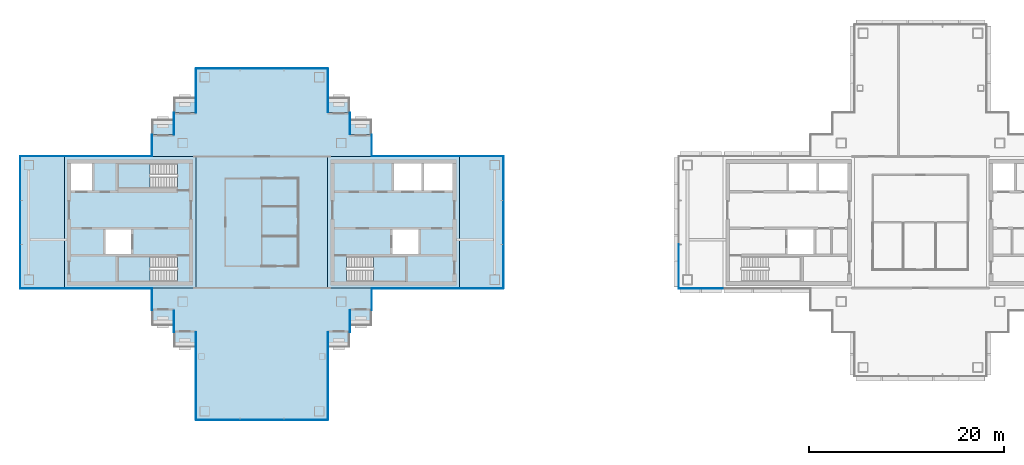
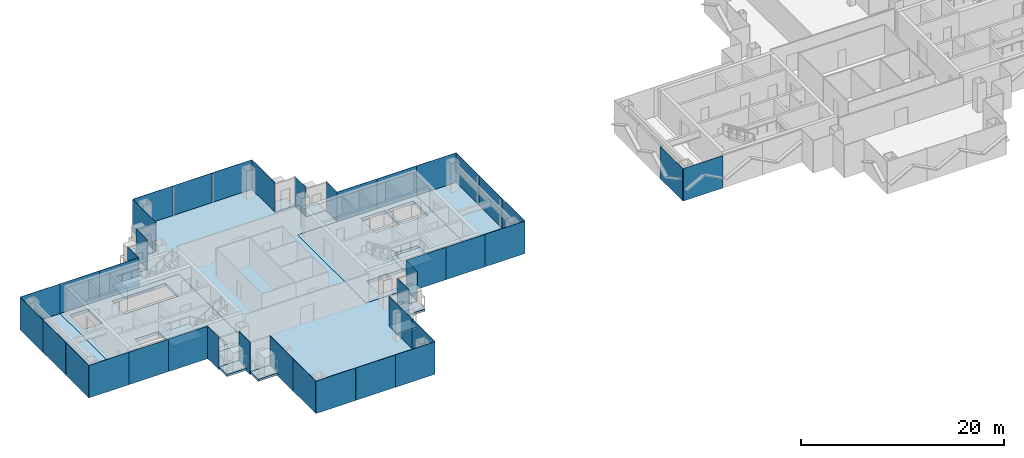
# One storey, part 7 of 17: 40 plates, 16 slabs, 25 elements without a shape of their own.
"""IFC4 building model written with IfcOpenShell, lengths in metres."""

from ifc_helpers import new_model, si_unit, direction, frame, origin, origin_2d, place, context, subcontext, project, spatial, polyline, rectangle, outline, extrude, material, layer, layer_set, type_object, element, aggregate, save


model = new_model("IFC4")

# Units and contexts
model_context = context("Model", 3, precision=1e-05, world=origin(), true_north=direction((0.0, 1.0)))
body_context = subcontext(model_context, "Body", "Model", "MODEL_VIEW")
ifc_project = project(units=[si_unit("LENGTHUNIT", "METRE"), si_unit("AREAUNIT", "SQUARE_METRE"), si_unit("VOLUMEUNIT", "CUBIC_METRE"), si_unit("PLANEANGLEUNIT", "RADIAN"), si_unit("MASSUNIT", "GRAM", prefix="KILO")], contexts=[model_context])

# Site, building, storey
site_placement = place(None, origin())
site = spatial("IfcSite", under=ifc_project, at=site_placement, CompositionType="ELEMENT")
building_placement = place(site_placement, origin())
building = spatial("IfcBuilding", under=site, at=building_placement, Name="Shamsa Quay Exchange Towers", CompositionType="ELEMENT")
storey_placement = place(building_placement, frame((0.0, 0.0, 221.699951171875)))
storey = spatial("IfcBuildingStorey", under=building, at=storey_placement, Name="L53", CompositionType="ELEMENT", Elevation=221.699951171875)

# Slabs
ifc_material_1 = material(Name="Precast concrete C40/50", Category="concrete")
ifc_layer_1 = layer(ifc_material_1, 0.25)
ifc_layer_set_1 = layer_set([ifc_layer_1], Name="BALCONY SLAB 250")
slab_type_1 = type_object("IfcSlabType", Name="BALCONY SLAB 250", PredefinedType="FLOOR", material=ifc_layer_set_1)
slab_1_placement = place(storey_placement, frame((0.0, 0.0, -0.25)))
element("IfcSlab", 1, at=slab_1_placement, inside=storey, type_object=slab_type_1, Name="Balcony T1-PKEN L53", PredefinedType="FLOOR", context=body_context, shape_type="SweptSolid", body=[
    extrude(outline(polyline([(-22.5, 9.0), (-24.7119140625, 9.0), (-24.7119140625, 10.550048828125), (-22.5, 10.550048828125), (-22.5, 9.0)])), origin(), (0.0, 0.0, 1.0), 0.25),
])
slab_2_placement = place(storey_placement, frame((0.0, 0.0, -0.25)))
element("IfcSlab", 2, at=slab_2_placement, inside=storey, type_object=slab_type_1, Name="Balcony T1-PKEN L53", PredefinedType="FLOOR", context=body_context, shape_type="SweptSolid", body=[
    extrude(outline(polyline([(-24.75, 11.25), (-26.9619140625, 11.25), (-26.9619140625, 12.800048828125), (-24.75, 12.800048828125), (-24.75, 11.25)])), origin(), (0.0, 0.0, 1.0), 0.25),
])
slab_3_placement = place(storey_placement, frame((0.0, 0.0, -0.25)))
element("IfcSlab", 3, at=slab_3_placement, inside=storey, type_object=slab_type_1, Name="Balcony T1-PKES L53", PredefinedType="FLOOR", context=body_context, shape_type="SweptSolid", body=[
    extrude(outline(polyline([(-24.7119140625, -9.0), (-22.5, -9.0), (-22.5, -10.550048828125), (-24.7119140625, -10.550048828125), (-24.7119140625, -9.0)])), origin(), (0.0, 0.0, 1.0), 0.25),
])
slab_4_placement = place(storey_placement, frame((0.0, 0.0, -0.25)))
element("IfcSlab", 4, at=slab_4_placement, inside=storey, type_object=slab_type_1, Name="Balcony T1-PKES L53", PredefinedType="FLOOR", context=body_context, shape_type="SweptSolid", body=[
    extrude(outline(polyline([(-26.9619140625, -11.25), (-24.75, -11.25), (-24.75, -12.800048828125), (-26.9619140625, -12.800048828125), (-26.9619140625, -11.25)])), origin(), (0.0, 0.0, 1.0), 0.25),
])
slab_5_placement = place(storey_placement, frame((0.0, 0.0, -0.25)))
element("IfcSlab", 5, at=slab_5_placement, inside=storey, type_object=slab_type_1, Name="Balcony T1-PKWN L53", PredefinedType="FLOOR", context=body_context, shape_type="SweptSolid", body=[
    extrude(outline(polyline([(-40.5380859375, 11.25), (-42.75, 11.25), (-42.75, 12.800048828125), (-40.5380859375, 12.800048828125), (-40.5380859375, 11.25)])), origin(), (0.0, 0.0, 1.0), 0.25),
])
slab_6_placement = place(storey_placement, frame((0.0, 0.0, -0.25)))
element("IfcSlab", 6, at=slab_6_placement, inside=storey, type_object=slab_type_1, Name="Balcony T1-PKWN L53", PredefinedType="FLOOR", context=body_context, shape_type="SweptSolid", body=[
    extrude(outline(polyline([(-42.7880859375, 9.0), (-45.0, 9.0), (-45.0, 10.550048828125), (-42.7880859375, 10.550048828125), (-42.7880859375, 9.0)])), origin(), (0.0, 0.0, 1.0), 0.25),
])
slab_7_placement = place(storey_placement, frame((0.0, 0.0, -0.25)))
element("IfcSlab", 7, at=slab_7_placement, inside=storey, type_object=slab_type_1, Name="Balcony T1-PKWS L53", PredefinedType="FLOOR", context=body_context, shape_type="SweptSolid", body=[
    extrude(outline(polyline([(-45.0, -9.0), (-42.7880859375, -9.0), (-42.7880859375, -10.550048828125), (-45.0, -10.550048828125), (-45.0, -9.0)])), origin(), (0.0, 0.0, 1.0), 0.25),
])
slab_8_placement = place(storey_placement, frame((0.0, 0.0, -0.25)))
element("IfcSlab", 8, at=slab_8_placement, inside=storey, type_object=slab_type_1, Name="Balcony T1-PKWS L53", PredefinedType="FLOOR", context=body_context, shape_type="SweptSolid", body=[
    extrude(outline(polyline([(-42.75, -11.25), (-40.5380859375, -11.25), (-40.5380859375, -12.800048828125), (-42.75, -12.800048828125), (-42.75, -11.25)])), origin(), (0.0, 0.0, 1.0), 0.25),
])
ifc_material_2 = material(Name="Concrete C50/60", Category="concrete")
ifc_layer_2 = layer(ifc_material_2, 0.35009765625)
ifc_layer_set_2 = layer_set([ifc_layer_2], Name="CORE FLOOR 350 C50/60")
slab_type_2 = type_object("IfcSlabType", Name="CORE FLOOR 350 C50/60", PredefinedType="FLOOR", material=ifc_layer_set_2)
slab_9_placement = place(storey_placement, frame((0.0, 0.0, -0.349853515625)))
element("IfcSlab", 9, at=slab_9_placement, inside=storey, type_object=slab_type_2, Name="Core floor T1A", PredefinedType="FLOOR", context=body_context, shape_type="SweptSolid", body=[
    extrude(outline(polyline([(-27.0, -6.75), (-13.5, -6.75), (-13.5, 6.75), (-27.0, 6.75), (-27.0, -6.75)]), holes=[polyline([(-25.099365234375, -6.050048828125), (-25.099365234375, -3.5), (-19.0, -3.5), (-19.0, -6.050048828125), (-25.099365234375, -6.050048828125)]), polyline([(-20.199951171875, 3.25), (-20.199951171875, 6.050048828125), (-17.39990234375, 6.050048828125), (-17.39990234375, 3.25), (-20.199951171875, 3.25)]), polyline([(-17.14990234375, 3.25), (-17.14990234375, 6.050048828125), (-14.199951171875, 6.050048828125), (-14.199951171875, 3.25), (-17.14990234375, 3.25)]), polyline([(-20.35009765625, -3.25), (-20.35009765625, -0.75), (-17.699951171875, -0.75), (-17.699951171875, -3.25), (-20.35009765625, -3.25)])]), origin(), (0.0, 0.0, 1.0), 0.349853515625),
])
slab_10_placement = place(storey_placement, frame((0.0, 0.0, -0.349853515625)))
element("IfcSlab", 10, at=slab_10_placement, inside=storey, type_object=slab_type_2, Name="Core floor T1B", PredefinedType="FLOOR", context=body_context, shape_type="SweptSolid", body=[
    extrude(outline(polyline([(-40.5, -6.75), (-40.5, 6.75), (-54.0, 6.75), (-54.0, -6.75), (-40.5, -6.75)]), holes=[polyline([(-42.400634765625, -3.5), (-42.400634765625, -6.050048828125), (-48.5, -6.050048828125), (-48.5, -3.5), (-42.400634765625, -3.5)]), polyline([(-42.400634765625, 6.050048828125), (-42.400634765625, 3.5), (-48.5, 3.5), (-48.5, 6.050048828125), (-42.400634765625, 6.050048828125)]), polyline([(-51.14990234375, 3.25), (-53.300048828125, 3.25), (-53.300048828125, 6.050048828125), (-51.14990234375, 6.050048828125), (-51.14990234375, 3.25)]), polyline([(-47.14990234375, -3.25), (-49.800048828125, -3.25), (-49.800048828125, -0.75), (-47.14990234375, -0.75), (-47.14990234375, -3.25)])]), origin(), (0.0, 0.0, 1.0), 0.349853515625),
])

# Stair, slab
ifc_material_3 = material(Name="Concrete C40/50", Category="concrete")
stair_type = type_object("IfcStairType", Name="EXIT STAIR 22 RISERS 177 MM", PredefinedType="HALF_TURN_STAIR", material=ifc_material_3)
stair_1_placement = place(storey_placement, origin())
stair_1 = element("IfcStair", 11, at=stair_1_placement, inside=storey, type_object=stair_type, Name="L53 Exit stair ST1", PredefinedType="HALF_TURN_STAIR")
ifc_layer_3 = layer(ifc_material_3, 0.199951171875)
ifc_layer_set_3 = layer_set([ifc_layer_3], Name="CORE STAIR LANDING")
slab_type_3 = type_object("IfcSlabType", Name="CORE STAIR LANDING", PredefinedType="LANDING", material=ifc_layer_set_3)
slab_11_placement = place(storey_placement, frame((0.0, 0.0, 1.75)))
slab_11 = element("IfcSlab", 12, at=slab_11_placement, type_object=slab_type_3, Name="ST1 landing 1", PredefinedType="LANDING", context=body_context, shape_type="SweptSolid", body=[
    extrude(outline(polyline([(-22.300048828125, -6.050048828125), (-19.0, -6.050048828125), (-19.0, -3.5), (-22.300048828125, -3.5), (-22.300048828125, -6.050048828125)])), origin(), (0.0, 0.0, 1.0), 0.199951171875),
])
aggregate(stair_1, [slab_11])

stair_2_placement = place(storey_placement, origin())
stair_2 = element("IfcStair", 13, at=stair_2_placement, inside=storey, type_object=stair_type, Name="L53 Exit stair ST2", PredefinedType="HALF_TURN_STAIR")
slab_12_placement = place(storey_placement, frame((0.0, 0.0, 1.75)))
slab_12 = element("IfcSlab", 14, at=slab_12_placement, type_object=slab_type_3, Name="ST2 landing 1", PredefinedType="LANDING", context=body_context, shape_type="SweptSolid", body=[
    extrude(outline(polyline([(-45.199951171875, -3.5), (-48.5, -3.5), (-48.5, -6.050048828125), (-45.199951171875, -6.050048828125), (-45.199951171875, -3.5)])), origin(), (0.0, 0.0, 1.0), 0.199951171875),
])
aggregate(stair_2, [slab_12])

stair_3_placement = place(storey_placement, origin())
stair_3 = element("IfcStair", 15, at=stair_3_placement, inside=storey, type_object=stair_type, Name="L53 Exit stair ST3", PredefinedType="HALF_TURN_STAIR")
slab_13_placement = place(storey_placement, frame((0.0, 0.0, 1.75)))
slab_13 = element("IfcSlab", 16, at=slab_13_placement, type_object=slab_type_3, Name="ST3 landing 1", PredefinedType="LANDING", context=body_context, shape_type="SweptSolid", body=[
    extrude(outline(polyline([(-45.199951171875, 6.050048828125), (-48.5, 6.050048828125), (-48.5, 3.5), (-45.199951171875, 3.5), (-45.199951171875, 6.050048828125)])), origin(), (0.0, 0.0, 1.0), 0.199951171875),
])
aggregate(stair_3, [slab_13])

# Curtain wall, plates
ifc_material_4 = material(Name="Aluminium EN AW-6063 T6, black anodised", Category="aluminium")
ifc_layer_4 = layer(ifc_material_4, 0.280029296875)
ifc_layer_set_4 = layer_set([ifc_layer_4], Name="CW-1 UNITISED VISION GLASS")
curtain_wall_type_1 = type_object("IfcCurtainWallType", Name="CW-1 UNITISED VISION GLASS", PredefinedType="NOTDEFINED", material=ifc_layer_set_4)
curtain_wall_1_placement = place(storey_placement, origin())
curtain_wall_1 = element("IfcCurtainWall", 17, at=curtain_wall_1_placement, inside=storey, type_object=curtain_wall_type_1, Name="CW1 T1-FLK-V-W L53", PredefinedType="NOTDEFINED")
ifc_material_5 = material(Name="Glass, laminated, dark tinted", Category="glass")
ifc_layer_5 = layer(ifc_material_5, 0.0400390625)
ifc_layer_set_5 = layer_set([ifc_layer_5], Name="CW-1 VISION GLASS 40")
plate_type_1 = type_object("IfcPlateType", Name="CW-1 VISION GLASS 40", PredefinedType="CURTAIN_PANEL", material=ifc_layer_set_5)
plate_1_placement = place(storey_placement, frame((-40.52001953125, -13.52587890625, -0.349853515625), z_axis=(0.0, 0.0, 1.0), x_axis=(0.0, -1.0, 0.0)))
plate_1 = element("IfcPlate", 18, at=plate_1_placement, type_object=plate_type_1, Name="CW1 glass panel", PredefinedType="CURTAIN_PANEL", context=body_context, shape_type="SweptSolid", body=[
    extrude(rectangle(XDim=4.47607421875, YDim=0.0400390625, at=origin_2d()), origin(), (0.0, 0.0, 1.0), 3.89990234375),
])
plate_2_placement = place(storey_placement, frame((-40.52001953125, -18.011962890625, -0.349853515625), z_axis=(0.0, 0.0, 1.0), x_axis=(0.0, -1.0, 0.0)))
plate_2 = element("IfcPlate", 19, at=plate_2_placement, type_object=plate_type_1, Name="CW1 glass panel", PredefinedType="CURTAIN_PANEL", context=body_context, shape_type="SweptSolid", body=[
    extrude(rectangle(XDim=4.47607421875, YDim=0.0400390625, at=origin_2d()), origin(), (0.0, 0.0, 1.0), 3.89990234375),
])
aggregate(curtain_wall_1, [plate_1, plate_2])

curtain_wall_2_placement = place(storey_placement, origin())
curtain_wall_2 = element("IfcCurtainWall", 20, at=curtain_wall_2_placement, inside=storey, type_object=curtain_wall_type_1, Name="CW1 T1-END-V- L53", PredefinedType="NOTDEFINED")
plate_3_placement = place(storey_placement, frame((-38.25244140625, -20.27001953125, -0.349853515625)))
plate_3 = element("IfcPlate", 21, at=plate_3_placement, type_object=plate_type_1, Name="CW1 glass panel", PredefinedType="CURTAIN_PANEL", context=body_context, shape_type="SweptSolid", body=[
    extrude(rectangle(XDim=4.4951171875, YDim=0.0400390625, at=origin_2d()), origin(), (0.0, 0.0, 1.0), 3.89990234375),
])
plate_4_placement = place(storey_placement, frame((-33.75, -20.27001953125, -0.349853515625)))
plate_4 = element("IfcPlate", 22, at=plate_4_placement, type_object=plate_type_1, Name="CW1 glass panel", PredefinedType="CURTAIN_PANEL", context=body_context, shape_type="SweptSolid", body=[
    extrude(rectangle(XDim=4.489990234375, YDim=0.0400390625, at=origin_2d()), origin(), (0.0, 0.0, 1.0), 3.89990234375),
])
plate_5_placement = place(storey_placement, frame((-29.24755859375, -20.27001953125, -0.349853515625)))
plate_5 = element("IfcPlate", 23, at=plate_5_placement, type_object=plate_type_1, Name="CW1 glass panel", PredefinedType="CURTAIN_PANEL", context=body_context, shape_type="SweptSolid", body=[
    extrude(rectangle(XDim=4.4951171875, YDim=0.0400390625, at=origin_2d()), origin(), (0.0, 0.0, 1.0), 3.89990234375),
])
aggregate(curtain_wall_2, [plate_3, plate_4, plate_5])

curtain_wall_3_placement = place(storey_placement, origin())
curtain_wall_3 = element("IfcCurtainWall", 24, at=curtain_wall_3_placement, inside=storey, type_object=curtain_wall_type_1, Name="CW1 T1-FLK-V-E L53", PredefinedType="NOTDEFINED")
plate_6_placement = place(storey_placement, frame((-26.97998046875, -18.00244140625, -0.349853515625), z_axis=(0.0, 0.0, 1.0), x_axis=(0.0, 1.0, 0.0)))
plate_6 = element("IfcPlate", 25, at=plate_6_placement, type_object=plate_type_1, Name="CW1 glass panel", PredefinedType="CURTAIN_PANEL", context=body_context, shape_type="SweptSolid", body=[
    extrude(rectangle(XDim=4.4951171875, YDim=0.0400390625, at=origin_2d()), origin(), (0.0, 0.0, 1.0), 3.89990234375),
])
plate_7_placement = place(storey_placement, frame((-26.97998046875, -13.49755859375, -0.349853515625), z_axis=(0.0, 0.0, 1.0), x_axis=(0.0, 1.0, 0.0)))
plate_7 = element("IfcPlate", 26, at=plate_7_placement, type_object=plate_type_1, Name="CW1 glass panel", PredefinedType="CURTAIN_PANEL", context=body_context, shape_type="SweptSolid", body=[
    extrude(rectangle(XDim=4.4951171875, YDim=0.0400390625, at=origin_2d()), origin(), (0.0, 0.0, 1.0), 3.89990234375),
])
aggregate(curtain_wall_3, [plate_6, plate_7])

# Curtain wall, plate
curtain_wall_4_placement = place(storey_placement, origin())
curtain_wall_4 = element("IfcCurtainWall", 27, at=curtain_wall_4_placement, inside=storey, type_object=curtain_wall_type_1, Name="CW1 T1-FLK-U+S L53", PredefinedType="NOTDEFINED")
plate_8_placement = place(storey_placement, frame((-11.25, -6.77001953125, -0.349853515625)))
plate_8 = element("IfcPlate", 28, at=plate_8_placement, type_object=plate_type_1, Name="CW1 glass panel", PredefinedType="CURTAIN_PANEL", context=body_context, shape_type="SweptSolid", body=[
    extrude(rectangle(XDim=4.5, YDim=0.0400390625, at=origin_2d()), origin(), (0.0, 0.0, 1.0), 3.89990234375),
])
aggregate(curtain_wall_4, [plate_8])

# Curtain wall, plates
curtain_wall_5_placement = place(storey_placement, origin())
curtain_wall_5 = element("IfcCurtainWall", 29, at=curtain_wall_5_placement, inside=storey, type_object=curtain_wall_type_1, Name="CW1 T1-END-U+ L53", PredefinedType="NOTDEFINED")
plate_9_placement = place(storey_placement, frame((-8.97998046875, -4.50244140625, -0.349853515625), z_axis=(0.0, 0.0, 1.0), x_axis=(0.0, 1.0, 0.0)))
plate_9 = element("IfcPlate", 30, at=plate_9_placement, type_object=plate_type_1, Name="CW1 glass panel", PredefinedType="CURTAIN_PANEL", context=body_context, shape_type="SweptSolid", body=[
    extrude(rectangle(XDim=4.4951171875, YDim=0.0400390625, at=origin_2d()), origin(), (0.0, 0.0, 1.0), 3.89990234375),
])
plate_10_placement = place(storey_placement, frame((-8.97998046875, 0.0, -0.349853515625), z_axis=(0.0, 0.0, 1.0), x_axis=(0.0, 1.0, 0.0)))
plate_10 = element("IfcPlate", 31, at=plate_10_placement, type_object=plate_type_1, Name="CW1 glass panel", PredefinedType="CURTAIN_PANEL", context=body_context, shape_type="SweptSolid", body=[
    extrude(rectangle(XDim=4.489990234375, YDim=0.0400390625, at=origin_2d()), origin(), (0.0, 0.0, 1.0), 3.89990234375),
])
plate_11_placement = place(storey_placement, frame((-8.97998046875, 4.50244140625, -0.349853515625), z_axis=(0.0, 0.0, 1.0), x_axis=(0.0, 1.0, 0.0)))
plate_11 = element("IfcPlate", 32, at=plate_11_placement, type_object=plate_type_1, Name="CW1 glass panel", PredefinedType="CURTAIN_PANEL", context=body_context, shape_type="SweptSolid", body=[
    extrude(rectangle(XDim=4.4951171875, YDim=0.0400390625, at=origin_2d()), origin(), (0.0, 0.0, 1.0), 3.89990234375),
])
aggregate(curtain_wall_5, [plate_9, plate_10, plate_11])

# Curtain wall, plate
curtain_wall_6_placement = place(storey_placement, origin())
curtain_wall_6 = element("IfcCurtainWall", 33, at=curtain_wall_6_placement, inside=storey, type_object=curtain_wall_type_1, Name="CW1 T1-FLK-U+N L53", PredefinedType="NOTDEFINED")
plate_12_placement = place(storey_placement, frame((-11.25, 6.77001953125, -0.349853515625), z_axis=(0.0, 0.0, 1.0), x_axis=(-1.0, 0.0, 0.0)))
plate_12 = element("IfcPlate", 34, at=plate_12_placement, type_object=plate_type_1, Name="CW1 glass panel", PredefinedType="CURTAIN_PANEL", context=body_context, shape_type="SweptSolid", body=[
    extrude(rectangle(XDim=4.5, YDim=0.0400390625, at=origin_2d()), origin(), (0.0, 0.0, 1.0), 3.89990234375),
])
aggregate(curtain_wall_6, [plate_12])

curtain_wall_7_placement = place(storey_placement, origin())
curtain_wall_7 = element("IfcCurtainWall", 35, at=curtain_wall_7_placement, inside=storey, type_object=curtain_wall_type_1, Name="CW1 T1-FLK-V+E L53", PredefinedType="NOTDEFINED")
plate_13_placement = place(storey_placement, frame((-26.97998046875, 13.51904296875, -0.349853515625), z_axis=(0.0, 0.0, 1.0), x_axis=(0.0, 1.0, 0.0)))
plate_13 = element("IfcPlate", 36, at=plate_13_placement, type_object=plate_type_1, Name="CW1 glass panel", PredefinedType="CURTAIN_PANEL", context=body_context, shape_type="SweptSolid", body=[
    extrude(rectangle(XDim=4.4619140625, YDim=0.0400390625, at=origin_2d()), origin(), (0.0, 0.0, 1.0), 3.89990234375),
])
aggregate(curtain_wall_7, [plate_13])

# Curtain wall, plates
curtain_wall_8_placement = place(storey_placement, origin())
curtain_wall_8 = element("IfcCurtainWall", 37, at=curtain_wall_8_placement, inside=storey, type_object=curtain_wall_type_1, Name="CW1 T1-END-V+ L53", PredefinedType="NOTDEFINED")
plate_14_placement = place(storey_placement, frame((-29.24755859375, 15.77001953125, -0.349853515625), z_axis=(0.0, 0.0, 1.0), x_axis=(-1.0, 0.0, 0.0)))
plate_14 = element("IfcPlate", 38, at=plate_14_placement, type_object=plate_type_1, Name="CW1 glass panel", PredefinedType="CURTAIN_PANEL", context=body_context, shape_type="SweptSolid", body=[
    extrude(rectangle(XDim=4.4951171875, YDim=0.0400390625, at=origin_2d()), origin(), (0.0, 0.0, 1.0), 3.89990234375),
])
plate_15_placement = place(storey_placement, frame((-33.75, 15.77001953125, -0.349853515625), z_axis=(0.0, 0.0, 1.0), x_axis=(-1.0, 0.0, 0.0)))
plate_15 = element("IfcPlate", 39, at=plate_15_placement, type_object=plate_type_1, Name="CW1 glass panel", PredefinedType="CURTAIN_PANEL", context=body_context, shape_type="SweptSolid", body=[
    extrude(rectangle(XDim=4.489990234375, YDim=0.0400390625, at=origin_2d()), origin(), (0.0, 0.0, 1.0), 3.89990234375),
])
plate_16_placement = place(storey_placement, frame((-38.25244140625, 15.77001953125, -0.349853515625), z_axis=(0.0, 0.0, 1.0), x_axis=(-1.0, 0.0, 0.0)))
plate_16 = element("IfcPlate", 40, at=plate_16_placement, type_object=plate_type_1, Name="CW1 glass panel", PredefinedType="CURTAIN_PANEL", context=body_context, shape_type="SweptSolid", body=[
    extrude(rectangle(XDim=4.4951171875, YDim=0.0400390625, at=origin_2d()), origin(), (0.0, 0.0, 1.0), 3.89990234375),
])
aggregate(curtain_wall_8, [plate_14, plate_15, plate_16])

# Curtain wall, plate
curtain_wall_9_placement = place(storey_placement, origin())
curtain_wall_9 = element("IfcCurtainWall", 41, at=curtain_wall_9_placement, inside=storey, type_object=curtain_wall_type_1, Name="CW1 T1-FLK-V+W L53", PredefinedType="NOTDEFINED")
plate_17_placement = place(storey_placement, frame((-40.52001953125, 13.5, -0.349853515625), z_axis=(0.0, 0.0, 1.0), x_axis=(0.0, -1.0, 0.0)))
plate_17 = element("IfcPlate", 42, at=plate_17_placement, type_object=plate_type_1, Name="CW1 glass panel", PredefinedType="CURTAIN_PANEL", context=body_context, shape_type="SweptSolid", body=[
    extrude(rectangle(XDim=4.5, YDim=0.0400390625, at=origin_2d()), origin(), (0.0, 0.0, 1.0), 3.89990234375),
])
aggregate(curtain_wall_9, [plate_17])

curtain_wall_10_placement = place(storey_placement, origin())
curtain_wall_10 = element("IfcCurtainWall", 43, at=curtain_wall_10_placement, inside=storey, type_object=curtain_wall_type_1, Name="CW1 T1-FLK-U-N L53", PredefinedType="NOTDEFINED")
plate_18_placement = place(storey_placement, frame((-56.25, 6.77001953125, -0.349853515625), z_axis=(0.0, 0.0, 1.0), x_axis=(-1.0, 0.0, 0.0)))
plate_18 = element("IfcPlate", 44, at=plate_18_placement, type_object=plate_type_1, Name="CW1 glass panel", PredefinedType="CURTAIN_PANEL", context=body_context, shape_type="SweptSolid", body=[
    extrude(rectangle(XDim=4.5, YDim=0.0400390625, at=origin_2d()), origin(), (0.0, 0.0, 1.0), 3.89990234375),
])
aggregate(curtain_wall_10, [plate_18])

# Curtain wall, plates
curtain_wall_11_placement = place(storey_placement, origin())
curtain_wall_11 = element("IfcCurtainWall", 45, at=curtain_wall_11_placement, inside=storey, type_object=curtain_wall_type_1, Name="CW1 T1-END-U- L53", PredefinedType="NOTDEFINED")
plate_19_placement = place(storey_placement, frame((-58.52001953125, 4.50244140625, -0.349853515625), z_axis=(0.0, 0.0, 1.0), x_axis=(0.0, -1.0, 0.0)))
plate_19 = element("IfcPlate", 46, at=plate_19_placement, type_object=plate_type_1, Name="CW1 glass panel", PredefinedType="CURTAIN_PANEL", context=body_context, shape_type="SweptSolid", body=[
    extrude(rectangle(XDim=4.4951171875, YDim=0.0400390625, at=origin_2d()), origin(), (0.0, 0.0, 1.0), 3.89990234375),
])
plate_20_placement = place(storey_placement, frame((-58.52001953125, 0.0, -0.349853515625), z_axis=(0.0, 0.0, 1.0), x_axis=(0.0, -1.0, 0.0)))
plate_20 = element("IfcPlate", 47, at=plate_20_placement, type_object=plate_type_1, Name="CW1 glass panel", PredefinedType="CURTAIN_PANEL", context=body_context, shape_type="SweptSolid", body=[
    extrude(rectangle(XDim=4.489990234375, YDim=0.0400390625, at=origin_2d()), origin(), (0.0, 0.0, 1.0), 3.89990234375),
])
plate_21_placement = place(storey_placement, frame((-58.52001953125, -4.50244140625, -0.349853515625), z_axis=(0.0, 0.0, 1.0), x_axis=(0.0, -1.0, 0.0)))
plate_21 = element("IfcPlate", 48, at=plate_21_placement, type_object=plate_type_1, Name="CW1 glass panel", PredefinedType="CURTAIN_PANEL", context=body_context, shape_type="SweptSolid", body=[
    extrude(rectangle(XDim=4.4951171875, YDim=0.0400390625, at=origin_2d()), origin(), (0.0, 0.0, 1.0), 3.89990234375),
])
aggregate(curtain_wall_11, [plate_19, plate_20, plate_21])

# Curtain wall, plate
curtain_wall_12_placement = place(storey_placement, origin())
curtain_wall_12 = element("IfcCurtainWall", 49, at=curtain_wall_12_placement, inside=storey, type_object=curtain_wall_type_1, Name="CW1 T1-FLK-U-S L53", PredefinedType="NOTDEFINED")
plate_22_placement = place(storey_placement, frame((-56.25, -6.77001953125, -0.349853515625)))
plate_22 = element("IfcPlate", 50, at=plate_22_placement, type_object=plate_type_1, Name="CW1 glass panel", PredefinedType="CURTAIN_PANEL", context=body_context, shape_type="SweptSolid", body=[
    extrude(rectangle(XDim=4.5, YDim=0.0400390625, at=origin_2d()), origin(), (0.0, 0.0, 1.0), 3.89990234375),
])
aggregate(curtain_wall_12, [plate_22])

curtain_wall_13_placement = place(storey_placement, origin())
curtain_wall_13 = element("IfcCurtainWall", 51, at=curtain_wall_13_placement, inside=storey, type_object=curtain_wall_type_1, Name="CW1 T2-END-V+ L53", PredefinedType="NOTDEFINED")
plate_23_placement = place(storey_placement, frame((8.97998046875, -4.50244140625, -0.349853515625), z_axis=(0.0, 0.0, 1.0), x_axis=(0.0, -1.0, 0.0)))
plate_23 = element("IfcPlate", 52, at=plate_23_placement, type_object=plate_type_1, Name="CW1 glass panel", PredefinedType="CURTAIN_PANEL", context=body_context, shape_type="SweptSolid", body=[
    extrude(rectangle(XDim=4.4951171875, YDim=0.0400390625, at=origin_2d()), origin(), (0.0, 0.0, 1.0), 3.89990234375),
])
aggregate(curtain_wall_13, [plate_23])

curtain_wall_14_placement = place(storey_placement, origin())
curtain_wall_14 = element("IfcCurtainWall", 53, at=curtain_wall_14_placement, inside=storey, type_object=curtain_wall_type_1, Name="CW1 T2-FLK-V+W L53", PredefinedType="NOTDEFINED")
plate_24_placement = place(storey_placement, frame((11.25, -6.77001953125, -0.349853515625)))
plate_24 = element("IfcPlate", 54, at=plate_24_placement, type_object=plate_type_1, Name="CW1 glass panel", PredefinedType="CURTAIN_PANEL", context=body_context, shape_type="SweptSolid", body=[
    extrude(rectangle(XDim=4.5, YDim=0.0400390625, at=origin_2d()), origin(), (0.0, 0.0, 1.0), 3.89990234375),
])
aggregate(curtain_wall_14, [plate_24])

# Curtain wall, plates
ifc_layer_6 = layer(ifc_material_4, 0.303955078125)
ifc_layer_set_6 = layer_set([ifc_layer_6], Name="CW-2 UNITISED OPAQUE SPANDREL GLASS")
curtain_wall_type_2 = type_object("IfcCurtainWallType", Name="CW-2 UNITISED OPAQUE SPANDREL GLASS", PredefinedType="NOTDEFINED", material=ifc_layer_set_6)
curtain_wall_15_placement = place(storey_placement, origin())
curtain_wall_15 = element("IfcCurtainWall", 55, at=curtain_wall_15_placement, inside=storey, type_object=curtain_wall_type_2, Name="CW2 T1-FLK-U+S L53", PredefinedType="NOTDEFINED")
ifc_material_6 = material(Name="Glass, laminated, black enamelled opaque", Category="glass")
ifc_layer_7 = layer(ifc_material_6, 0.0439453125)
ifc_layer_set_7 = layer_set([ifc_layer_7], Name="CW-2 SPANDREL GLASS 44")
plate_type_2 = type_object("IfcPlateType", Name="CW-2 SPANDREL GLASS 44", PredefinedType="CURTAIN_PANEL", material=ifc_layer_set_7)
plate_25_placement = place(storey_placement, frame((-20.22412109375, -6.77197265625, -0.349853515625)))
plate_25 = element("IfcPlate", 56, at=plate_25_placement, type_object=plate_type_2, Name="CW2 glass panel", PredefinedType="CURTAIN_PANEL", context=body_context, shape_type="SweptSolid", body=[
    extrude(rectangle(XDim=4.47607421875, YDim=0.0439453125, at=origin_2d()), origin(), (0.0, 0.0, 1.0), 3.89990234375),
])
plate_26_placement = place(storey_placement, frame((-15.738037109375, -6.77197265625, -0.349853515625)))
plate_26 = element("IfcPlate", 57, at=plate_26_placement, type_object=plate_type_2, Name="CW2 glass panel", PredefinedType="CURTAIN_PANEL", context=body_context, shape_type="SweptSolid", body=[
    extrude(rectangle(XDim=4.47607421875, YDim=0.0439453125, at=origin_2d()), origin(), (0.0, 0.0, 1.0), 3.89990234375),
])
aggregate(curtain_wall_15, [plate_25, plate_26])

curtain_wall_16_placement = place(storey_placement, origin())
curtain_wall_16 = element("IfcCurtainWall", 58, at=curtain_wall_16_placement, inside=storey, type_object=curtain_wall_type_2, Name="CW2 T1-FLK-U+N L53", PredefinedType="NOTDEFINED")
plate_27_placement = place(storey_placement, frame((-15.74755859375, 6.77197265625, -0.349853515625), z_axis=(0.0, 0.0, 1.0), x_axis=(-1.0, 0.0, 0.0)))
plate_27 = element("IfcPlate", 59, at=plate_27_placement, type_object=plate_type_2, Name="CW2 glass panel", PredefinedType="CURTAIN_PANEL", context=body_context, shape_type="SweptSolid", body=[
    extrude(rectangle(XDim=4.4951171875, YDim=0.0439453125, at=origin_2d()), origin(), (0.0, 0.0, 1.0), 3.89990234375),
])
plate_28_placement = place(storey_placement, frame((-20.25244140625, 6.77197265625, -0.349853515625), z_axis=(0.0, 0.0, 1.0), x_axis=(-1.0, 0.0, 0.0)))
plate_28 = element("IfcPlate", 60, at=plate_28_placement, type_object=plate_type_2, Name="CW2 glass panel", PredefinedType="CURTAIN_PANEL", context=body_context, shape_type="SweptSolid", body=[
    extrude(rectangle(XDim=4.4951171875, YDim=0.0439453125, at=origin_2d()), origin(), (0.0, 0.0, 1.0), 3.89990234375),
])
aggregate(curtain_wall_16, [plate_27, plate_28])

curtain_wall_17_placement = place(storey_placement, origin())
curtain_wall_17 = element("IfcCurtainWall", 61, at=curtain_wall_17_placement, inside=storey, type_object=curtain_wall_type_2, Name="CW2 T1-FLK-U-N L53", PredefinedType="NOTDEFINED")
plate_29_placement = place(storey_placement, frame((-47.27587890625, 6.77197265625, -0.349853515625), z_axis=(0.0, 0.0, 1.0), x_axis=(-1.0, 0.0, 0.0)))
plate_29 = element("IfcPlate", 62, at=plate_29_placement, type_object=plate_type_2, Name="CW2 glass panel", PredefinedType="CURTAIN_PANEL", context=body_context, shape_type="SweptSolid", body=[
    extrude(rectangle(XDim=4.47607421875, YDim=0.0439453125, at=origin_2d()), origin(), (0.0, 0.0, 1.0), 3.89990234375),
])
plate_30_placement = place(storey_placement, frame((-51.761962890625, 6.77197265625, -0.349853515625), z_axis=(0.0, 0.0, 1.0), x_axis=(-1.0, 0.0, 0.0)))
plate_30 = element("IfcPlate", 63, at=plate_30_placement, type_object=plate_type_2, Name="CW2 glass panel", PredefinedType="CURTAIN_PANEL", context=body_context, shape_type="SweptSolid", body=[
    extrude(rectangle(XDim=4.47607421875, YDim=0.0439453125, at=origin_2d()), origin(), (0.0, 0.0, 1.0), 3.89990234375),
])
aggregate(curtain_wall_17, [plate_29, plate_30])

curtain_wall_18_placement = place(storey_placement, origin())
curtain_wall_18 = element("IfcCurtainWall", 64, at=curtain_wall_18_placement, inside=storey, type_object=curtain_wall_type_2, Name="CW2 T1-FLK-U-S L53", PredefinedType="NOTDEFINED")
plate_31_placement = place(storey_placement, frame((-51.75244140625, -6.77197265625, -0.349853515625)))
plate_31 = element("IfcPlate", 65, at=plate_31_placement, type_object=plate_type_2, Name="CW2 glass panel", PredefinedType="CURTAIN_PANEL", context=body_context, shape_type="SweptSolid", body=[
    extrude(rectangle(XDim=4.4951171875, YDim=0.0439453125, at=origin_2d()), origin(), (0.0, 0.0, 1.0), 3.89990234375),
])
plate_32_placement = place(storey_placement, frame((-47.24755859375, -6.77197265625, -0.349853515625)))
plate_32 = element("IfcPlate", 66, at=plate_32_placement, type_object=plate_type_2, Name="CW2 glass panel", PredefinedType="CURTAIN_PANEL", context=body_context, shape_type="SweptSolid", body=[
    extrude(rectangle(XDim=4.4951171875, YDim=0.0439453125, at=origin_2d()), origin(), (0.0, 0.0, 1.0), 3.89990234375),
])
aggregate(curtain_wall_18, [plate_31, plate_32])

ifc_layer_8 = layer(ifc_material_4, 0.256103515625)
ifc_layer_set_8 = layer_set([ifc_layer_8], Name="CW-4 POCKET SERRATED GLAZING")
curtain_wall_type_3 = type_object("IfcCurtainWallType", Name="CW-4 POCKET SERRATED GLAZING", PredefinedType="NOTDEFINED", material=ifc_layer_set_8)
curtain_wall_19_placement = place(storey_placement, origin())
curtain_wall_19 = element("IfcCurtainWall", 67, at=curtain_wall_19_placement, inside=storey, type_object=curtain_wall_type_3, Name="CW4 PKWS L53", PredefinedType="NOTDEFINED")
ifc_layer_9 = layer(ifc_material_5, 0.035888671875)
ifc_layer_set_9 = layer_set([ifc_layer_9], Name="CW-4 POCKET GLASS 36")
plate_type_3 = type_object("IfcPlateType", Name="CW-4 POCKET GLASS 36", PredefinedType="CURTAIN_PANEL", material=ifc_layer_set_9)
plate_33_placement = place(storey_placement, frame((-42.76806640625, -10.14404296875, -0.349853515625), z_axis=(0.0, 0.0, 1.0), x_axis=(0.0, -1.0, 0.0)))
plate_33 = element("IfcPlate", 68, at=plate_33_placement, type_object=plate_type_3, Name="CW4 glass panel", PredefinedType="CURTAIN_PANEL", context=body_context, shape_type="SweptSolid", body=[
    extrude(rectangle(XDim=2.2119140625, YDim=0.035888671875, at=origin_2d()), origin(), (0.0, 0.0, 1.0), 3.89990234375),
])
plate_34_placement = place(storey_placement, frame((-45.01806640625, -7.89794921875, -0.349853515625), z_axis=(0.0, 0.0, 1.0), x_axis=(0.0, -1.0, 0.0)))
plate_34 = element("IfcPlate", 69, at=plate_34_placement, type_object=plate_type_3, Name="CW4 glass panel", PredefinedType="CURTAIN_PANEL", context=body_context, shape_type="SweptSolid", body=[
    extrude(rectangle(XDim=2.2041015625, YDim=0.035888671875, at=origin_2d()), origin(), (0.0, 0.0, 1.0), 3.89990234375),
])
aggregate(curtain_wall_19, [plate_33, plate_34])

curtain_wall_20_placement = place(storey_placement, origin())
curtain_wall_20 = element("IfcCurtainWall", 70, at=curtain_wall_20_placement, inside=storey, type_object=curtain_wall_type_3, Name="CW4 PKES L53", PredefinedType="NOTDEFINED")
plate_35_placement = place(storey_placement, frame((-24.73193359375, -10.125, -0.349853515625), z_axis=(0.0, 0.0, 1.0), x_axis=(0.0, 1.0, 0.0)))
plate_35 = element("IfcPlate", 71, at=plate_35_placement, type_object=plate_type_3, Name="CW4 glass panel", PredefinedType="CURTAIN_PANEL", context=body_context, shape_type="SweptSolid", body=[
    extrude(rectangle(XDim=2.25, YDim=0.035888671875, at=origin_2d()), origin(), (0.0, 0.0, 1.0), 3.89990234375),
])
plate_36_placement = place(storey_placement, frame((-22.48193359375, -7.875, -0.349853515625), z_axis=(0.0, 0.0, 1.0), x_axis=(0.0, 1.0, 0.0)))
plate_36 = element("IfcPlate", 72, at=plate_36_placement, type_object=plate_type_3, Name="CW4 glass panel", PredefinedType="CURTAIN_PANEL", context=body_context, shape_type="SweptSolid", body=[
    extrude(rectangle(XDim=2.25, YDim=0.035888671875, at=origin_2d()), origin(), (0.0, 0.0, 1.0), 3.89990234375),
])
aggregate(curtain_wall_20, [plate_35, plate_36])

curtain_wall_21_placement = place(storey_placement, origin())
curtain_wall_21 = element("IfcCurtainWall", 73, at=curtain_wall_21_placement, inside=storey, type_object=curtain_wall_type_3, Name="CW4 PKEN L53", PredefinedType="NOTDEFINED")
plate_37_placement = place(storey_placement, frame((-22.48193359375, 7.89794921875, -0.349853515625), z_axis=(0.0, 0.0, 1.0), x_axis=(0.0, 1.0, 0.0)))
plate_37 = element("IfcPlate", 74, at=plate_37_placement, type_object=plate_type_3, Name="CW4 glass panel", PredefinedType="CURTAIN_PANEL", context=body_context, shape_type="SweptSolid", body=[
    extrude(rectangle(XDim=2.2041015625, YDim=0.035888671875, at=origin_2d()), origin(), (0.0, 0.0, 1.0), 3.89990234375),
])
plate_38_placement = place(storey_placement, frame((-24.73193359375, 10.14404296875, -0.349853515625), z_axis=(0.0, 0.0, 1.0), x_axis=(0.0, 1.0, 0.0)))
plate_38 = element("IfcPlate", 75, at=plate_38_placement, type_object=plate_type_3, Name="CW4 glass panel", PredefinedType="CURTAIN_PANEL", context=body_context, shape_type="SweptSolid", body=[
    extrude(rectangle(XDim=2.2119140625, YDim=0.035888671875, at=origin_2d()), origin(), (0.0, 0.0, 1.0), 3.89990234375),
])
aggregate(curtain_wall_21, [plate_37, plate_38])

curtain_wall_22_placement = place(storey_placement, origin())
curtain_wall_22 = element("IfcCurtainWall", 76, at=curtain_wall_22_placement, inside=storey, type_object=curtain_wall_type_3, Name="CW4 PKWN L53", PredefinedType="NOTDEFINED")
plate_39_placement = place(storey_placement, frame((-42.76806640625, 10.125, -0.349853515625), z_axis=(0.0, 0.0, 1.0), x_axis=(0.0, -1.0, 0.0)))
plate_39 = element("IfcPlate", 77, at=plate_39_placement, type_object=plate_type_3, Name="CW4 glass panel", PredefinedType="CURTAIN_PANEL", context=body_context, shape_type="SweptSolid", body=[
    extrude(rectangle(XDim=2.25, YDim=0.035888671875, at=origin_2d()), origin(), (0.0, 0.0, 1.0), 3.89990234375),
])
plate_40_placement = place(storey_placement, frame((-45.01806640625, 7.875, -0.349853515625), z_axis=(0.0, 0.0, 1.0), x_axis=(0.0, -1.0, 0.0)))
plate_40 = element("IfcPlate", 78, at=plate_40_placement, type_object=plate_type_3, Name="CW4 glass panel", PredefinedType="CURTAIN_PANEL", context=body_context, shape_type="SweptSolid", body=[
    extrude(rectangle(XDim=2.25, YDim=0.035888671875, at=origin_2d()), origin(), (0.0, 0.0, 1.0), 3.89990234375),
])
aggregate(curtain_wall_22, [plate_39, plate_40])

# Slabs
ifc_layer_10 = layer(ifc_material_3, 0.35009765625)
ifc_layer_set_10 = layer_set([ifc_layer_10], Name="Flat slab 350")
slab_type_4 = type_object("IfcSlabType", Name="Flat slab 350", PredefinedType="FLOOR", material=ifc_layer_set_10)
slab_14_placement = place(storey_placement, frame((0.0, 0.0, -0.349853515625)))
element("IfcSlab", 79, at=slab_14_placement, inside=storey, type_object=slab_type_4, Name="Flat slab T1 L53 1", PredefinedType="FLOOR", context=body_context, shape_type="SweptSolid", body=[
    extrude(outline(polyline([(-58.5, -6.75), (-54.0, -6.75), (-54.0, 6.75), (-58.5, 6.75), (-58.5, -6.75)])), origin(), (0.0, 0.0, 1.0), 0.349853515625),
])
slab_15_placement = place(storey_placement, frame((0.0, 0.0, -0.349853515625)))
element("IfcSlab", 80, at=slab_15_placement, inside=storey, type_object=slab_type_4, Name="Flat slab T1 L53 2", PredefinedType="FLOOR", context=body_context, shape_type="SweptSolid", body=[
    extrude(outline(polyline([(-22.5, -9.0), (-22.5, -6.75), (-27.0, -6.75), (-27.0, 6.75), (-22.5, 6.75), (-22.5, 9.0), (-24.75, 9.0), (-24.75, 11.25), (-27.0, 11.25), (-27.0, 15.75), (-40.5, 15.75), (-40.5, 11.25), (-42.75, 11.25), (-42.75, 9.0), (-45.0, 9.0), (-45.0, 6.75), (-40.5, 6.75), (-40.5, -6.75), (-45.0, -6.75), (-45.0, -9.0), (-42.75, -9.0), (-42.75, -11.25), (-40.5, -11.25), (-40.5, -20.25), (-27.0, -20.25), (-27.0, -11.25), (-24.75, -11.25), (-24.75, -9.0), (-22.5, -9.0)])), origin(), (0.0, 0.0, 1.0), 0.349853515625),
])
slab_16_placement = place(storey_placement, frame((0.0, 0.0, -0.349853515625)))
element("IfcSlab", 81, at=slab_16_placement, inside=storey, type_object=slab_type_4, Name="Flat slab T1 L53 3", PredefinedType="FLOOR", context=body_context, shape_type="SweptSolid", body=[
    extrude(outline(polyline([(-9.0, 6.75), (-13.5, 6.75), (-13.5, -6.75), (-9.0, -6.75), (-9.0, 6.75)])), origin(), (0.0, 0.0, 1.0), 0.349853515625),
])

save(model, "model.ifc")
